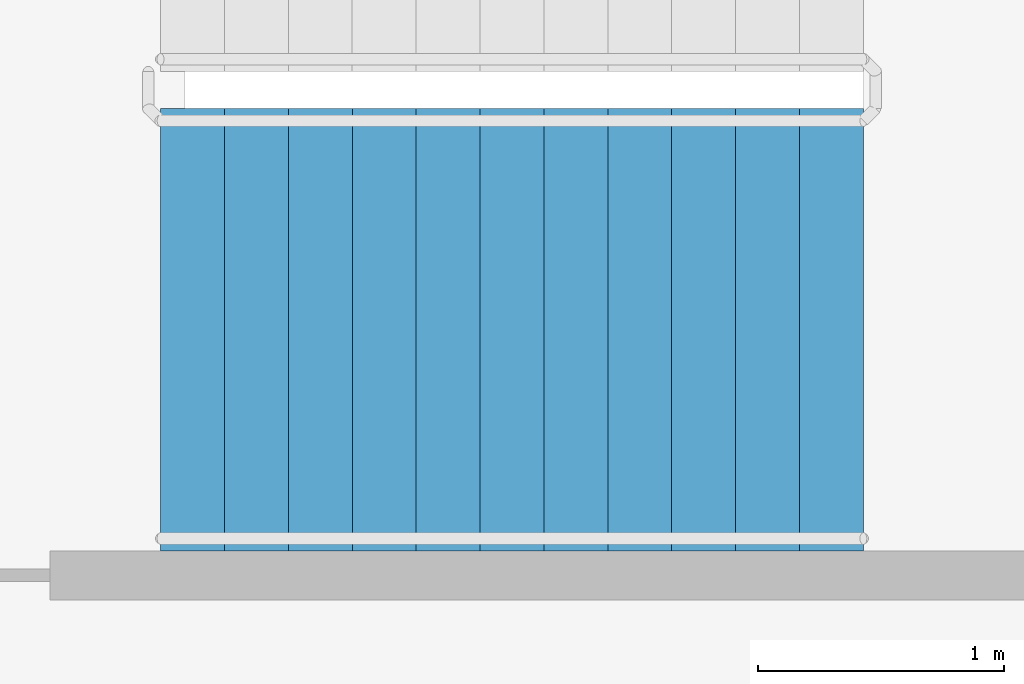
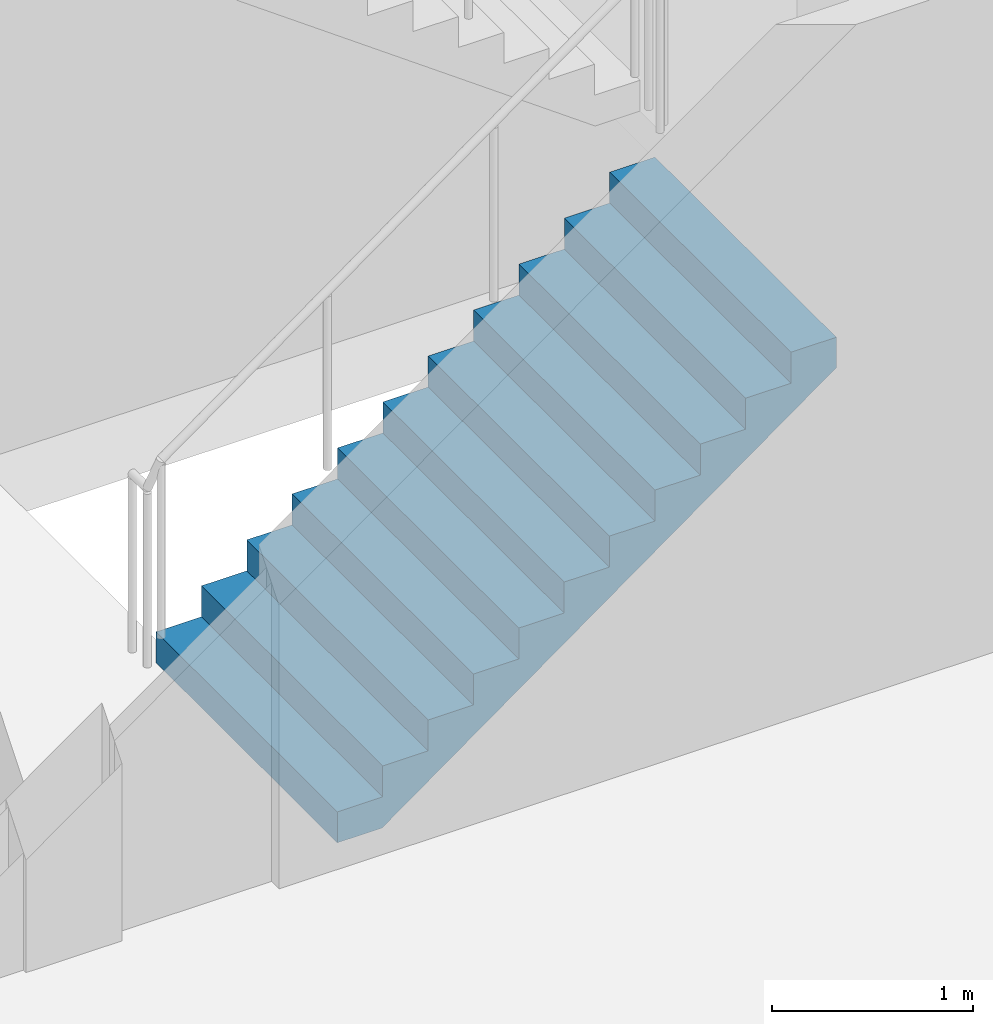
# One storey, part 30 of 51: 1 stair flight, 1 element without a shape of its own.
"""IFC4 building model written with IfcOpenShell, lengths in metres."""

from ifc_helpers import new_model, si_unit, direction, frame, origin, place, context, subcontext, project, spatial, faceted_brep, material, type_object, element, aggregate, save


model = new_model("IFC4")

# Units and contexts
model_context = context("Model", 3, precision=1e-05, world=origin(), true_north=direction((0.0, 1.0)))
body_context = subcontext(model_context, "Body", "Model", "MODEL_VIEW")
ifc_project = project(units=[si_unit("LENGTHUNIT", "METRE"), si_unit("AREAUNIT", "SQUARE_METRE"), si_unit("VOLUMEUNIT", "CUBIC_METRE"), si_unit("PLANEANGLEUNIT", "RADIAN"), si_unit("MASSUNIT", "GRAM", prefix="KILO")], contexts=[model_context])

# Site, building, storey
site_placement = place(None, origin())
site = spatial("IfcSite", under=ifc_project, at=site_placement, CompositionType="ELEMENT")
building_placement = place(site_placement, origin())
building = spatial("IfcBuilding", under=site, at=building_placement, Name="Ipe Terrace Towers", CompositionType="ELEMENT")
storey_placement = place(building_placement, frame((0.0, 0.0, 15.5)))
storey = spatial("IfcBuildingStorey", under=building, at=storey_placement, Name="L03", CompositionType="ELEMENT", Elevation=15.5)

# Stair, stair flight
ifc_material_1 = material(Name="Concrete C30/37", Category="concrete")
stair_type = type_object("IfcStairType", Name="Protected exit stair", PredefinedType="HALF_TURN_STAIR", material=ifc_material_1)
stair_placement = place(storey_placement, origin())
stair = element("IfcStair", 1, at=stair_placement, inside=storey, type_object=stair_type, Name="L03 Podium exit stair PS7", PredefinedType="HALF_TURN_STAIR")
ifc_material_2 = material(Name="Concrete C30/37", Category="concrete")
stair_flight_type = type_object("IfcStairFlightType", Name="Exit stair flight 1800", PredefinedType="STRAIGHT", material=ifc_material_2)
stair_flight_placement = place(storey_placement, frame((-66.18994140625, 2.5, 0.0), z_axis=(0.0, 0.0, 1.0), x_axis=(1.0, 0.0, 0.0)))
stair_flight = element("IfcStairFlight", 2, at=stair_flight_placement, type_object=stair_flight_type, Name="PS7 flight 1", NumberOfRisers=12, NumberOfTreads=11, PredefinedType="STRAIGHT", RiserHeight=0.1875, TreadLength=0.26, context=body_context, shape_type="Brep", body=[
    faceted_brep([(0.25634765625, -0.89990234375, 0.0), (2.860107421875, -0.89990234375, 1.877685546875), (2.860107421875, -0.89990234375, 2.0625), (2.60009765625, -0.89990234375, 2.0625), (2.60009765625, -0.89990234375, 1.875), (2.340087890625, -0.89990234375, 1.875), (2.340087890625, -0.89990234375, 1.6875), (2.080078125, -0.89990234375, 1.6875), (2.080078125, -0.89990234375, 1.5), (1.820068359375, -0.89990234375, 1.5), (1.820068359375, -0.89990234375, 1.3125), (1.56005859375, -0.89990234375, 1.3125), (1.56005859375, -0.89990234375, 1.125), (1.300048828125, -0.89990234375, 1.125), (1.300048828125, -0.89990234375, 0.9375), (1.0400390625, -0.89990234375, 0.9375), (1.0400390625, -0.89990234375, 0.75), (0.780029296875, -0.89990234375, 0.75), (0.780029296875, -0.89990234375, 0.5625), (0.52001953125, -0.89990234375, 0.5625), (0.52001953125, -0.89990234375, 0.375), (0.260009765625, -0.89990234375, 0.375), (0.260009765625, -0.89990234375, 0.1875), (0.0, -0.89990234375, 0.1875), (0.0, -0.89990234375, 0.0), (0.0, 0.89990234375, 0.0), (0.0, 0.89990234375, 0.1875), (0.260009765625, 0.89990234375, 0.1875), (0.260009765625, 0.89990234375, 0.375), (0.52001953125, 0.89990234375, 0.375), (0.52001953125, 0.89990234375, 0.5625), (0.780029296875, 0.89990234375, 0.5625), (0.780029296875, 0.89990234375, 0.75), (1.0400390625, 0.89990234375, 0.75), (1.0400390625, 0.89990234375, 0.9375), (1.300048828125, 0.89990234375, 0.9375), (1.300048828125, 0.89990234375, 1.125), (1.56005859375, 0.89990234375, 1.125), (1.56005859375, 0.89990234375, 1.3125), (1.820068359375, 0.89990234375, 1.3125), (1.820068359375, 0.89990234375, 1.5), (2.080078125, 0.89990234375, 1.5), (2.080078125, 0.89990234375, 1.6875), (2.340087890625, 0.89990234375, 1.6875), (2.340087890625, 0.89990234375, 1.875), (2.60009765625, 0.89990234375, 1.875), (2.60009765625, 0.89990234375, 2.0625), (2.860107421875, 0.89990234375, 2.0625), (2.860107421875, 0.89990234375, 1.877685546875), (0.25634765625, 0.89990234375, 0.0), (0.0, -0.300048828125, 0.1875), (0.0, -0.1201171875, 0.1875), (0.0, -0.06005859375, 0.1875), (0.0, -0.030029296875, 0.1875), (0.0, -0.010009765625, 0.1875), (0.0, 0.0, 0.1875), (0.0, 0.010009765625, 0.1875), (0.0, 0.030029296875, 0.1875), (0.0, 0.06005859375, 0.1875), (0.0, 0.1201171875, 0.1875), (0.0, 0.300048828125, 0.1875), (0.0, 0.300048828125, 0.0), (0.0, 0.1201171875, 0.0), (0.0, 0.06005859375, 0.0), (0.0, 0.030029296875, 0.0), (0.0, 0.010009765625, 0.0), (0.0, 0.0, 0.0), (0.0, -0.010009765625, 0.0), (0.0, -0.030029296875, 0.0), (0.0, -0.06005859375, 0.0), (0.0, -0.1201171875, 0.0), (0.0, -0.300048828125, 0.0), (0.260009765625, -0.300048828125, 0.1875), (0.260009765625, -0.1201171875, 0.1875), (0.260009765625, -0.06005859375, 0.1875), (0.260009765625, -0.030029296875, 0.1875), (0.260009765625, -0.010009765625, 0.1875), (0.260009765625, 0.0, 0.1875), (0.260009765625, 0.010009765625, 0.1875), (0.260009765625, 0.030029296875, 0.1875), (0.260009765625, 0.06005859375, 0.1875), (0.260009765625, 0.1201171875, 0.1875), (0.260009765625, 0.300048828125, 0.1875), (0.260009765625, -0.300048828125, 0.375), (0.260009765625, -0.1201171875, 0.375), (0.260009765625, -0.06005859375, 0.375), (0.260009765625, -0.030029296875, 0.375), (0.260009765625, -0.010009765625, 0.375), (0.260009765625, 0.0, 0.375), (0.260009765625, 0.010009765625, 0.375), (0.260009765625, 0.030029296875, 0.375), (0.260009765625, 0.06005859375, 0.375), (0.260009765625, 0.1201171875, 0.375), (0.260009765625, 0.300048828125, 0.375), (0.52001953125, -0.300048828125, 0.375), (0.52001953125, -0.1201171875, 0.375), (0.52001953125, -0.06005859375, 0.375), (0.52001953125, -0.030029296875, 0.375), (0.52001953125, -0.010009765625, 0.375), (0.52001953125, 0.0, 0.375), (0.52001953125, 0.010009765625, 0.375), (0.52001953125, 0.030029296875, 0.375), (0.52001953125, 0.06005859375, 0.375), (0.52001953125, 0.1201171875, 0.375), (0.52001953125, 0.300048828125, 0.375), (0.52001953125, -0.300048828125, 0.5625), (0.52001953125, -0.1201171875, 0.5625), (0.52001953125, -0.06005859375, 0.5625), (0.52001953125, -0.030029296875, 0.5625), (0.52001953125, -0.010009765625, 0.5625), (0.52001953125, 0.0, 0.5625), (0.52001953125, 0.010009765625, 0.5625), (0.52001953125, 0.030029296875, 0.5625), (0.52001953125, 0.06005859375, 0.5625), (0.52001953125, 0.1201171875, 0.5625), (0.52001953125, 0.300048828125, 0.5625), (0.780029296875, -0.300048828125, 0.5625), (0.780029296875, -0.1201171875, 0.5625), (0.780029296875, -0.06005859375, 0.5625), (0.780029296875, -0.030029296875, 0.5625), (0.780029296875, -0.010009765625, 0.5625), (0.780029296875, 0.0, 0.5625), (0.780029296875, 0.010009765625, 0.5625), (0.780029296875, 0.030029296875, 0.5625), (0.780029296875, 0.06005859375, 0.5625), (0.780029296875, 0.1201171875, 0.5625), (0.780029296875, 0.300048828125, 0.5625), (0.780029296875, -0.300048828125, 0.75), (0.780029296875, -0.1201171875, 0.75), (0.780029296875, -0.06005859375, 0.75), (0.780029296875, -0.030029296875, 0.75), (0.780029296875, -0.010009765625, 0.75), (0.780029296875, 0.0, 0.75), (0.780029296875, 0.010009765625, 0.75), (0.780029296875, 0.030029296875, 0.75), (0.780029296875, 0.06005859375, 0.75), (0.780029296875, 0.1201171875, 0.75), (0.780029296875, 0.300048828125, 0.75), (1.0400390625, -0.300048828125, 0.75), (1.0400390625, -0.1201171875, 0.75), (1.0400390625, -0.06005859375, 0.75), (1.0400390625, -0.030029296875, 0.75), (1.0400390625, -0.010009765625, 0.75), (1.0400390625, 0.0, 0.75), (1.0400390625, 0.010009765625, 0.75), (1.0400390625, 0.030029296875, 0.75), (1.0400390625, 0.06005859375, 0.75), (1.0400390625, 0.1201171875, 0.75), (1.0400390625, 0.300048828125, 0.75), (1.0400390625, -0.300048828125, 0.9375), (1.0400390625, -0.1201171875, 0.9375), (1.0400390625, -0.06005859375, 0.9375), (1.0400390625, -0.030029296875, 0.9375), (1.0400390625, -0.010009765625, 0.9375), (1.0400390625, 0.0, 0.9375), (1.0400390625, 0.010009765625, 0.9375), (1.0400390625, 0.030029296875, 0.9375), (1.0400390625, 0.06005859375, 0.9375), (1.0400390625, 0.1201171875, 0.9375), (1.0400390625, 0.300048828125, 0.9375), (1.300048828125, -0.300048828125, 0.9375), (1.300048828125, -0.1201171875, 0.9375), (1.300048828125, -0.06005859375, 0.9375), (1.300048828125, -0.030029296875, 0.9375), (1.300048828125, -0.010009765625, 0.9375), (1.300048828125, 0.0, 0.9375), (1.300048828125, 0.010009765625, 0.9375), (1.300048828125, 0.030029296875, 0.9375), (1.300048828125, 0.06005859375, 0.9375), (1.300048828125, 0.1201171875, 0.9375), (1.300048828125, 0.300048828125, 0.9375), (1.300048828125, -0.300048828125, 1.125), (1.300048828125, -0.1201171875, 1.125), (1.300048828125, -0.06005859375, 1.125), (1.300048828125, -0.030029296875, 1.125), (1.300048828125, -0.010009765625, 1.125), (1.300048828125, 0.0, 1.125), (1.300048828125, 0.010009765625, 1.125), (1.300048828125, 0.030029296875, 1.125), (1.300048828125, 0.06005859375, 1.125), (1.300048828125, 0.1201171875, 1.125), (1.300048828125, 0.300048828125, 1.125), (1.56005859375, -0.300048828125, 1.125), (1.56005859375, -0.1201171875, 1.125), (1.56005859375, -0.06005859375, 1.125), (1.56005859375, -0.030029296875, 1.125), (1.56005859375, -0.010009765625, 1.125), (1.56005859375, 0.0, 1.125), (1.56005859375, 0.010009765625, 1.125), (1.56005859375, 0.030029296875, 1.125), (1.56005859375, 0.06005859375, 1.125), (1.56005859375, 0.1201171875, 1.125), (1.56005859375, 0.300048828125, 1.125), (1.56005859375, -0.300048828125, 1.3125), (1.56005859375, -0.1201171875, 1.3125), (1.56005859375, -0.06005859375, 1.3125), (1.56005859375, -0.030029296875, 1.3125), (1.56005859375, -0.010009765625, 1.3125), (1.56005859375, 0.0, 1.3125), (1.56005859375, 0.010009765625, 1.3125), (1.56005859375, 0.030029296875, 1.3125), (1.56005859375, 0.06005859375, 1.3125), (1.56005859375, 0.1201171875, 1.3125), (1.56005859375, 0.300048828125, 1.3125), (1.820068359375, -0.300048828125, 1.3125), (1.820068359375, -0.1201171875, 1.3125), (1.820068359375, -0.06005859375, 1.3125), (1.820068359375, -0.030029296875, 1.3125), (1.820068359375, -0.010009765625, 1.3125), (1.820068359375, 0.0, 1.3125), (1.820068359375, 0.010009765625, 1.3125), (1.820068359375, 0.030029296875, 1.3125), (1.820068359375, 0.06005859375, 1.3125), (1.820068359375, 0.1201171875, 1.3125), (1.820068359375, 0.300048828125, 1.3125), (1.820068359375, -0.300048828125, 1.5), (1.820068359375, -0.1201171875, 1.5), (1.820068359375, -0.06005859375, 1.5), (1.820068359375, -0.030029296875, 1.5), (1.820068359375, -0.010009765625, 1.5), (1.820068359375, 0.0, 1.5), (1.820068359375, 0.010009765625, 1.5), (1.820068359375, 0.030029296875, 1.5), (1.820068359375, 0.06005859375, 1.5), (1.820068359375, 0.1201171875, 1.5), (1.820068359375, 0.300048828125, 1.5), (2.080078125, -0.300048828125, 1.5), (2.080078125, -0.1201171875, 1.5), (2.080078125, -0.06005859375, 1.5), (2.080078125, -0.030029296875, 1.5), (2.080078125, -0.010009765625, 1.5), (2.080078125, 0.0, 1.5), (2.080078125, 0.010009765625, 1.5), (2.080078125, 0.030029296875, 1.5), (2.080078125, 0.06005859375, 1.5), (2.080078125, 0.1201171875, 1.5), (2.080078125, 0.300048828125, 1.5), (2.080078125, -0.300048828125, 1.6875), (2.080078125, -0.1201171875, 1.6875), (2.080078125, -0.06005859375, 1.6875), (2.080078125, -0.030029296875, 1.6875), (2.080078125, -0.010009765625, 1.6875), (2.080078125, 0.0, 1.6875), (2.080078125, 0.010009765625, 1.6875), (2.080078125, 0.030029296875, 1.6875), (2.080078125, 0.06005859375, 1.6875), (2.080078125, 0.1201171875, 1.6875), (2.080078125, 0.300048828125, 1.6875), (2.340087890625, -0.300048828125, 1.6875), (2.340087890625, -0.1201171875, 1.6875), (2.340087890625, -0.06005859375, 1.6875), (2.340087890625, -0.030029296875, 1.6875), (2.340087890625, -0.010009765625, 1.6875), (2.340087890625, 0.0, 1.6875), (2.340087890625, 0.010009765625, 1.6875), (2.340087890625, 0.030029296875, 1.6875), (2.340087890625, 0.06005859375, 1.6875), (2.340087890625, 0.1201171875, 1.6875), (2.340087890625, 0.300048828125, 1.6875), (2.340087890625, -0.300048828125, 1.875), (2.340087890625, -0.1201171875, 1.875), (2.340087890625, -0.06005859375, 1.875), (2.340087890625, -0.030029296875, 1.875), (2.340087890625, -0.010009765625, 1.875), (2.340087890625, 0.0, 1.875), (2.340087890625, 0.010009765625, 1.875), (2.340087890625, 0.030029296875, 1.875), (2.340087890625, 0.06005859375, 1.875), (2.340087890625, 0.1201171875, 1.875), (2.340087890625, 0.300048828125, 1.875), (2.60009765625, -0.300048828125, 1.875), (2.60009765625, -0.1201171875, 1.875), (2.60009765625, -0.06005859375, 1.875), (2.60009765625, -0.030029296875, 1.875), (2.60009765625, -0.010009765625, 1.875), (2.60009765625, 0.0, 1.875), (2.60009765625, 0.010009765625, 1.875), (2.60009765625, 0.030029296875, 1.875), (2.60009765625, 0.06005859375, 1.875), (2.60009765625, 0.1201171875, 1.875), (2.60009765625, 0.300048828125, 1.875), (2.60009765625, -0.300048828125, 2.0625), (2.60009765625, -0.1201171875, 2.0625), (2.60009765625, -0.06005859375, 2.0625), (2.60009765625, -0.030029296875, 2.0625), (2.60009765625, -0.010009765625, 2.0625), (2.60009765625, 0.0, 2.0625), (2.60009765625, 0.010009765625, 2.0625), (2.60009765625, 0.030029296875, 2.0625), (2.60009765625, 0.06005859375, 2.0625), (2.60009765625, 0.1201171875, 2.0625), (2.60009765625, 0.300048828125, 2.0625), (2.860107421875, -0.300048828125, 2.0625), (2.860107421875, -0.1201171875, 2.0625), (2.860107421875, -0.06005859375, 2.0625), (2.860107421875, -0.030029296875, 2.0625), (2.860107421875, -0.010009765625, 2.0625), (2.860107421875, 0.0, 2.0625), (2.860107421875, 0.010009765625, 2.0625), (2.860107421875, 0.030029296875, 2.0625), (2.860107421875, 0.06005859375, 2.0625), (2.860107421875, 0.1201171875, 2.0625), (2.860107421875, 0.300048828125, 2.0625), (2.860107421875, -0.300048828125, 1.877685546875), (2.860107421875, -0.1201171875, 1.877685546875), (2.860107421875, -0.06005859375, 1.877685546875), (2.860107421875, -0.030029296875, 1.877685546875), (2.860107421875, -0.010009765625, 1.877685546875), (2.860107421875, 0.0, 1.877685546875), (2.860107421875, 0.010009765625, 1.877685546875), (2.860107421875, 0.030029296875, 1.877685546875), (2.860107421875, 0.06005859375, 1.877685546875), (2.860107421875, 0.1201171875, 1.877685546875), (2.860107421875, 0.300048828125, 1.877685546875), (0.25634765625, -0.300048828125, 0.0), (0.25634765625, -0.1201171875, 0.0), (0.25634765625, -0.06005859375, 0.0), (0.25634765625, -0.030029296875, 0.0), (0.25634765625, -0.010009765625, 0.0), (0.25634765625, 0.0, 0.0), (0.25634765625, 0.010009765625, 0.0), (0.25634765625, 0.030029296875, 0.0), (0.25634765625, 0.06005859375, 0.0), (0.25634765625, 0.1201171875, 0.0), (0.25634765625, 0.300048828125, 0.0)], [[[0, 1, 2, 3, 4, 5, 6, 7, 8, 9, 10, 11, 12, 13, 14, 15, 16, 17, 18, 19, 20, 21, 22, 23, 24]], [[25, 26, 27, 28, 29, 30, 31, 32, 33, 34, 35, 36, 37, 38, 39, 40, 41, 42, 43, 44, 45, 46, 47, 48, 49]], [[23, 50, 51, 52, 53, 54, 55, 56, 57, 58, 59, 60, 26, 25, 61, 62, 63, 64, 65, 66, 67, 68, 69, 70, 71, 24]], [[22, 72, 73, 74, 75, 76, 77, 78, 79, 80, 81, 82, 27, 26, 60, 59, 58, 57, 56, 55, 54, 53, 52, 51, 50, 23]], [[21, 83, 84, 85, 86, 87, 88, 89, 90, 91, 92, 93, 28, 27, 82, 81, 80, 79, 78, 77, 76, 75, 74, 73, 72, 22]], [[20, 94, 95, 96, 97, 98, 99, 100, 101, 102, 103, 104, 29, 28, 93, 92, 91, 90, 89, 88, 87, 86, 85, 84, 83, 21]], [[19, 105, 106, 107, 108, 109, 110, 111, 112, 113, 114, 115, 30, 29, 104, 103, 102, 101, 100, 99, 98, 97, 96, 95, 94, 20]], [[18, 116, 117, 118, 119, 120, 121, 122, 123, 124, 125, 126, 31, 30, 115, 114, 113, 112, 111, 110, 109, 108, 107, 106, 105, 19]], [[17, 127, 128, 129, 130, 131, 132, 133, 134, 135, 136, 137, 32, 31, 126, 125, 124, 123, 122, 121, 120, 119, 118, 117, 116, 18]], [[16, 138, 139, 140, 141, 142, 143, 144, 145, 146, 147, 148, 33, 32, 137, 136, 135, 134, 133, 132, 131, 130, 129, 128, 127, 17]], [[15, 149, 150, 151, 152, 153, 154, 155, 156, 157, 158, 159, 34, 33, 148, 147, 146, 145, 144, 143, 142, 141, 140, 139, 138, 16]], [[14, 160, 161, 162, 163, 164, 165, 166, 167, 168, 169, 170, 35, 34, 159, 158, 157, 156, 155, 154, 153, 152, 151, 150, 149, 15]], [[13, 171, 172, 173, 174, 175, 176, 177, 178, 179, 180, 181, 36, 35, 170, 169, 168, 167, 166, 165, 164, 163, 162, 161, 160, 14]], [[12, 182, 183, 184, 185, 186, 187, 188, 189, 190, 191, 192, 37, 36, 181, 180, 179, 178, 177, 176, 175, 174, 173, 172, 171, 13]], [[11, 193, 194, 195, 196, 197, 198, 199, 200, 201, 202, 203, 38, 37, 192, 191, 190, 189, 188, 187, 186, 185, 184, 183, 182, 12]], [[10, 204, 205, 206, 207, 208, 209, 210, 211, 212, 213, 214, 39, 38, 203, 202, 201, 200, 199, 198, 197, 196, 195, 194, 193, 11]], [[9, 215, 216, 217, 218, 219, 220, 221, 222, 223, 224, 225, 40, 39, 214, 213, 212, 211, 210, 209, 208, 207, 206, 205, 204, 10]], [[8, 226, 227, 228, 229, 230, 231, 232, 233, 234, 235, 236, 41, 40, 225, 224, 223, 222, 221, 220, 219, 218, 217, 216, 215, 9]], [[7, 237, 238, 239, 240, 241, 242, 243, 244, 245, 246, 247, 42, 41, 236, 235, 234, 233, 232, 231, 230, 229, 228, 227, 226, 8]], [[6, 248, 249, 250, 251, 252, 253, 254, 255, 256, 257, 258, 43, 42, 247, 246, 245, 244, 243, 242, 241, 240, 239, 238, 237, 7]], [[5, 259, 260, 261, 262, 263, 264, 265, 266, 267, 268, 269, 44, 43, 258, 257, 256, 255, 254, 253, 252, 251, 250, 249, 248, 6]], [[4, 270, 271, 272, 273, 274, 275, 276, 277, 278, 279, 280, 45, 44, 269, 268, 267, 266, 265, 264, 263, 262, 261, 260, 259, 5]], [[3, 281, 282, 283, 284, 285, 286, 287, 288, 289, 290, 291, 46, 45, 280, 279, 278, 277, 276, 275, 274, 273, 272, 271, 270, 4]], [[2, 292, 293, 294, 295, 296, 297, 298, 299, 300, 301, 302, 47, 46, 291, 290, 289, 288, 287, 286, 285, 284, 283, 282, 281, 3]], [[1, 303, 304, 305, 306, 307, 308, 309, 310, 311, 312, 313, 48, 47, 302, 301, 300, 299, 298, 297, 296, 295, 294, 293, 292, 2]], [[0, 314, 315, 316, 317, 318, 319, 320, 321, 322, 323, 324, 49, 48, 313, 312, 311, 310, 309, 308, 307, 306, 305, 304, 303, 1]], [[24, 71, 70, 69, 68, 67, 66, 65, 64, 63, 62, 61, 25, 49, 324, 323, 322, 321, 320, 319, 318, 317, 316, 315, 314, 0]]]),
])
aggregate(stair, [stair_flight])

save(model, "model.ifc")
